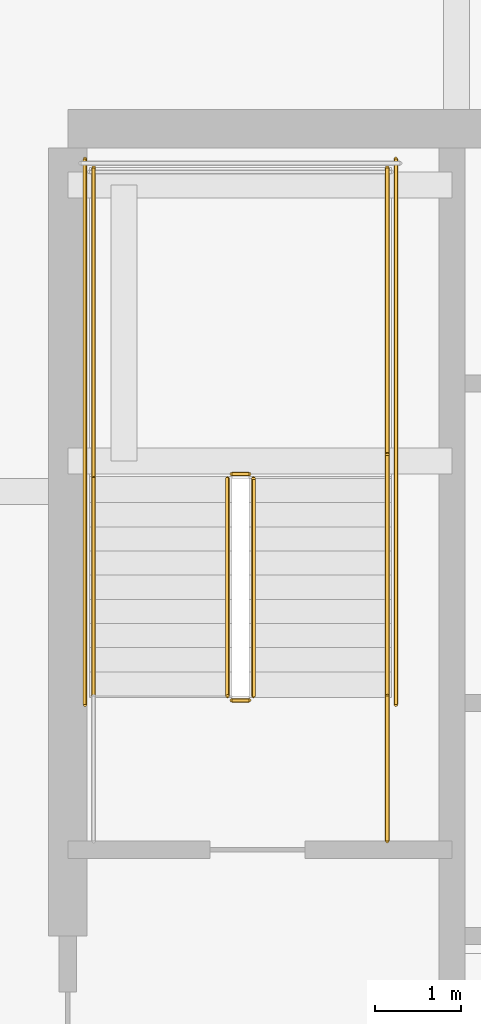
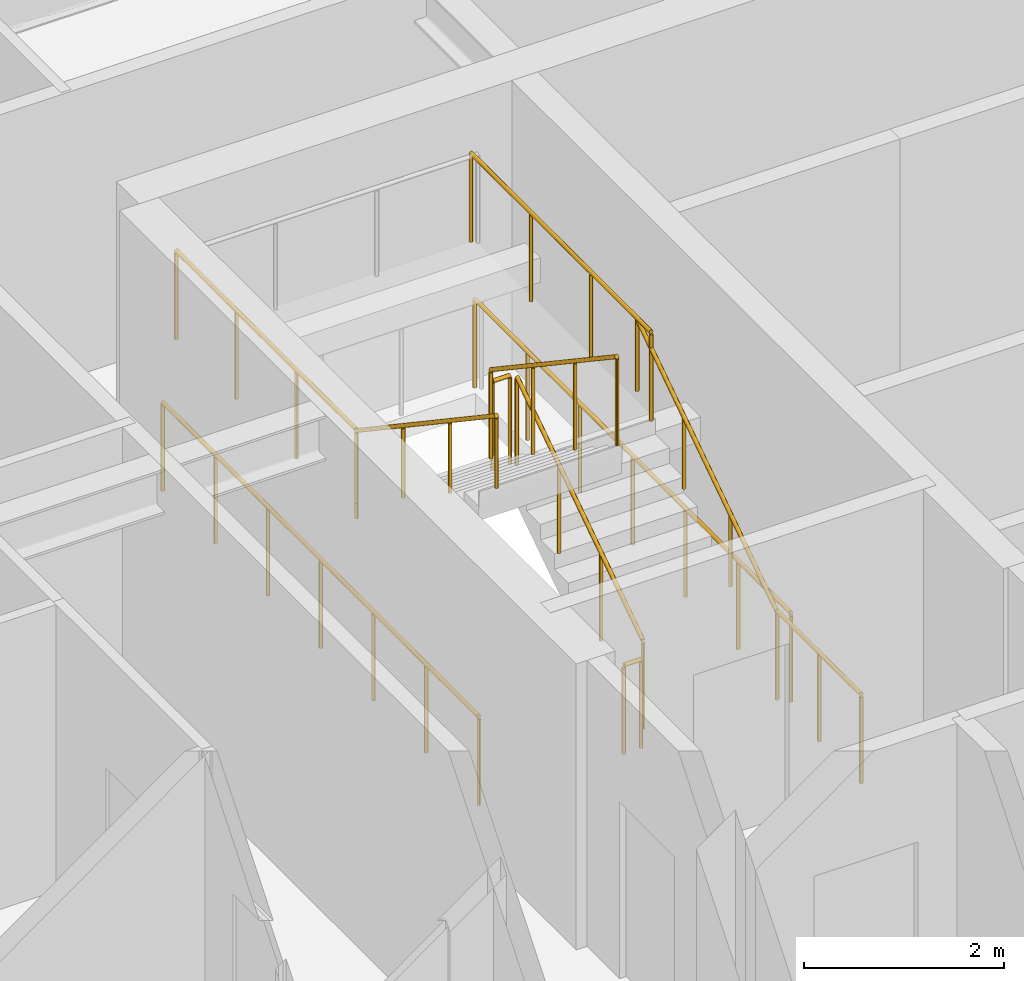
# One storey, part 35 of 38: 11 railings.
"""IFC4 building model written with IfcOpenShell, lengths in metres."""

from ifc_helpers import new_model, si_unit, direction, frame, origin, origin_2d, place, context, subcontext, project, spatial, circle, extrude, material, type_object, element, save


model = new_model("IFC4")

# Units and contexts
model_context = context("Model", 3, precision=1e-05, world=origin(), true_north=direction((0.0, 1.0)))
body_context = subcontext(model_context, "Body", "Model", "MODEL_VIEW")
ifc_project = project(units=[si_unit("LENGTHUNIT", "METRE"), si_unit("AREAUNIT", "SQUARE_METRE"), si_unit("VOLUMEUNIT", "CUBIC_METRE"), si_unit("PLANEANGLEUNIT", "RADIAN"), si_unit("MASSUNIT", "GRAM", prefix="KILO")], contexts=[model_context])

# Site, building, storey
site_placement = place(None, origin())
site = spatial("IfcSite", under=ifc_project, at=site_placement, CompositionType="ELEMENT")
building_placement = place(site_placement, origin())
building = spatial("IfcBuilding", under=site, at=building_placement, Name="Serunith Strait Residences", CompositionType="ELEMENT")
storey_placement = place(building_placement, frame((0.0, 0.0, 82.949951171875)))
storey = spatial("IfcBuildingStorey", under=building, at=storey_placement, Name="L20", CompositionType="ELEMENT", Elevation=82.949951171875)

# Railings
ifc_material = material(Name="Brushed stainless steel 316L", Category="steel")
railing_type_1 = type_object("IfcRailingType", Name="RLG-STAIR-GUARD", PredefinedType="BALUSTRADE", material=ifc_material)
railing_1_placement = place(storey_placement, frame((25.550048828125, 27.030029296875, 0.1875)))
element("IfcRailing", 1, at=railing_1_placement, inside=storey, type_object=railing_type_1, Name="L20 ST-1 stair guard 1", PredefinedType="BALUSTRADE", context=body_context, shape_type="SweptSolid", body=[
    extrude(circle(Radius=0.02392578125, at=origin_2d()), frame((0.0, 0.001708984375, 1.0771484375), z_axis=(0.0, 0.830909170722, 0.55640807867), x_axis=(-1.0, 0.0, 0.0)), (0.0, 0.0, 1.0), 3.02880859375),
    extrude(circle(Radius=0.02099609375, at=origin_2d()), origin(), (0.0, 0.0, 1.0), 1.050048828125),
    extrude(circle(Radius=0.02099609375, at=origin_2d()), frame((0.0, 0.840087890625, 0.5625)), (0.0, 0.0, 1.0), 1.050048828125),
    extrude(circle(Radius=0.02099609375, at=origin_2d()), frame((0.0, 1.679931640625, 1.125)), (0.0, 0.0, 1.0), 1.050048828125),
    extrude(circle(Radius=0.02099609375, at=origin_2d()), frame((0.0, 2.52001953125, 1.6875)), (0.0, 0.0, 1.0), 1.050048828125),
])
railing_2_placement = place(storey_placement, frame((25.5, 29.60009765625, 1.875)))
element("IfcRailing", 2, at=railing_2_placement, inside=storey, type_object=railing_type_1, Name="L20 ST-1 stair guard 2", PredefinedType="BALUSTRADE", context=body_context, shape_type="SweptSolid", body=[
    extrude(circle(Radius=0.02392578125, at=origin_2d()), frame((-0.001953125, 0.0, 1.076171875), z_axis=(-1.0, 0.0, 0.0), x_axis=(0.0, -1.0, 0.0)), (0.0, 0.0, 1.0), 0.196044921875),
    extrude(circle(Radius=0.02099609375, at=origin_2d()), origin(), (0.0, 0.0, 1.0), 1.050048828125),
    extrude(circle(Radius=0.02099609375, at=origin_2d()), frame((-0.199951171875, 0.0, 0.0)), (0.0, 0.0, 1.0), 1.050048828125),
])
for number, where, name in (
    (3, (27.10009765625, 29.550048828125, 1.875), "L20 ST-1 stair guard 3"),
    (4, (23.699951171875, 29.550048828125, 1.875), "L20 ST-1 stair guard 4"),
):
    element("IfcRailing", number, at=place(storey_placement, frame(where)), inside=storey, type_object=railing_type_1, Name=name, PredefinedType="BALUSTRADE", context=body_context, shape_type="SweptSolid", body=[
        extrude(circle(Radius=0.02392578125, at=origin_2d()), frame((0.0, 0.001953125, 1.076171875), z_axis=(0.0, 1.0, 0.0), x_axis=(-1.0, 0.0, 0.0)), (0.0, 0.0, 1.0), 3.595947265625),
        extrude(circle(Radius=0.02099609375, at=origin_2d()), origin(), (0.0, 0.0, 1.0), 1.050048828125),
        extrude(circle(Radius=0.02099609375, at=origin_2d()), frame((0.0, 1.199951171875, 0.0)), (0.0, 0.0, 1.0), 1.050048828125),
        extrude(circle(Radius=0.02099609375, at=origin_2d()), frame((0.0, 2.39990234375, 0.0)), (0.0, 0.0, 1.0), 1.050048828125),
        extrude(circle(Radius=0.02099609375, at=origin_2d()), frame((0.0, 3.599853515625, 0.0)), (0.0, 0.0, 1.0), 1.050048828125),
    ])
railing_3_placement = place(storey_placement, frame((25.25, 29.550048828125, 2.0625)))
element("IfcRailing", 5, at=railing_3_placement, inside=storey, type_object=railing_type_1, Name="L20 ST-1 stair guard 6", PredefinedType="BALUSTRADE", context=body_context, shape_type="SweptSolid", body=[
    extrude(circle(Radius=0.02392578125, at=origin_2d()), frame((0.0, -0.001708984375, 1.0771484375), z_axis=(0.0, -0.830909170722, 0.55640807867), x_axis=(1.0, 0.0, 0.0)), (0.0, 0.0, 1.0), 3.02880859375),
    extrude(circle(Radius=0.02099609375, at=origin_2d()), origin(), (0.0, 0.0, 1.0), 1.050048828125),
    extrude(circle(Radius=0.02099609375, at=origin_2d()), frame((0.0, -0.840087890625, 0.5625)), (0.0, 0.0, 1.0), 1.050048828125),
    extrude(circle(Radius=0.02099609375, at=origin_2d()), frame((0.0, -1.679931640625, 1.125)), (0.0, 0.0, 1.0), 1.050048828125),
    extrude(circle(Radius=0.02099609375, at=origin_2d()), frame((0.0, -2.52001953125, 1.6875)), (0.0, 0.0, 1.0), 1.050048828125),
])
railing_4_placement = place(storey_placement, frame((25.5, 26.97998046875, 0.0)))
element("IfcRailing", 6, at=railing_4_placement, inside=storey, type_object=railing_type_1, Name="L20 ST-1 stair guard 7", PredefinedType="BALUSTRADE", context=body_context, shape_type="SweptSolid", body=[
    extrude(circle(Radius=0.02392578125, at=origin_2d()), frame((-0.001953125, 0.0, 1.076171875), z_axis=(-1.0, 0.0, 0.0), x_axis=(0.0, -1.0, 0.0)), (0.0, 0.0, 1.0), 0.196044921875),
    extrude(circle(Radius=0.02099609375, at=origin_2d()), origin(), (0.0, 0.0, 1.0), 1.050048828125),
    extrude(circle(Radius=0.02099609375, at=origin_2d()), frame((-0.199951171875, 0.0, 0.0)), (0.0, 0.0, 1.0), 1.050048828125),
])
railing_5_placement = place(storey_placement, frame((27.10009765625, 25.35009765625, 0.0)))
element("IfcRailing", 7, at=railing_5_placement, inside=storey, type_object=railing_type_1, Name="L20 ST-1 stair guard 8", PredefinedType="BALUSTRADE", context=body_context, shape_type="SweptSolid", body=[
    extrude(circle(Radius=0.02392578125, at=origin_2d()), frame((0.0, 0.001953125, 1.076171875), z_axis=(0.0, 1.0, 0.0), x_axis=(-1.0, 0.0, 0.0)), (0.0, 0.0, 1.0), 1.676025390625),
    extrude(circle(Radius=0.02099609375, at=origin_2d()), origin(), (0.0, 0.0, 1.0), 1.050048828125),
    extrude(circle(Radius=0.02099609375, at=origin_2d()), frame((0.0, 0.83984375, 0.0)), (0.0, 0.0, 1.0), 1.050048828125),
    extrude(circle(Radius=0.02099609375, at=origin_2d()), frame((0.0, 1.679931640625, 0.0)), (0.0, 0.0, 1.0), 1.050048828125),
])
for number, where, name in (
    (8, (27.199951171875, 26.929931640625, 0.0), "L20 ST-1 stair guard 10"),
    (9, (23.60009765625, 26.929931640625, 0.0), "L20 ST-1 stair guard 11"),
):
    element("IfcRailing", number, at=place(storey_placement, frame(where)), inside=storey, type_object=railing_type_1, Name=name, PredefinedType="BALUSTRADE", context=body_context, shape_type="SweptSolid", body=[
        extrude(circle(Radius=0.02392578125, at=origin_2d()), frame((0.0, 0.001953125, 1.076171875), z_axis=(0.0, 1.0, 0.0), x_axis=(-1.0, 0.0, 0.0)), (0.0, 0.0, 1.0), 6.316162109375),
        extrude(circle(Radius=0.02099609375, at=origin_2d()), origin(), (0.0, 0.0, 1.0), 1.050048828125),
        extrude(circle(Radius=0.02099609375, at=origin_2d()), frame((0.0, 1.05322265625, 0.0)), (0.0, 0.0, 1.0), 1.050048828125),
        extrude(circle(Radius=0.02099609375, at=origin_2d()), frame((0.0, 2.106689453125, 0.0)), (0.0, 0.0, 1.0), 1.050048828125),
        extrude(circle(Radius=0.02099609375, at=origin_2d()), frame((0.0, 3.16015625, 0.0)), (0.0, 0.0, 1.0), 1.050048828125),
        extrude(circle(Radius=0.02099609375, at=origin_2d()), frame((0.0, 4.21337890625, 0.0)), (0.0, 0.0, 1.0), 1.050048828125),
        extrude(circle(Radius=0.02099609375, at=origin_2d()), frame((0.0, 5.2666015625, 0.0)), (0.0, 0.0, 1.0), 1.050048828125),
        extrude(circle(Radius=0.02099609375, at=origin_2d()), frame((0.0, 6.320068359375, 0.0)), (0.0, 0.0, 1.0), 1.050048828125),
    ])
railing_type_2 = type_object("IfcRailingType", Name="RLG-STAIR-HR", PredefinedType="HANDRAIL", material=ifc_material)
railing_6_placement = place(storey_placement, frame((27.10009765625, 27.030029296875, 0.1875)))
element("IfcRailing", 10, at=railing_6_placement, inside=storey, type_object=railing_type_2, Name="L20 ST-1 stair handrail 1", PredefinedType="HANDRAIL", context=body_context, shape_type="SweptSolid", body=[
    extrude(circle(Radius=0.02392578125, at=origin_2d()), frame((0.0, 0.001708984375, 0.876953125), z_axis=(0.0, 0.830208209119, 0.557453432594), x_axis=(-1.0, 0.0, 0.0)), (0.0, 0.0, 1.0), 3.36865234375),
    extrude(circle(Radius=0.02099609375, at=origin_2d()), origin(), (0.0, 0.0, 1.0), 0.849853515625),
    extrude(circle(Radius=0.02099609375, at=origin_2d()), frame((0.0, 0.933349609375, 0.626708984375)), (0.0, 0.0, 1.0), 0.849853515625),
    extrude(circle(Radius=0.02099609375, at=origin_2d()), frame((0.0, 1.86669921875, 1.25341796875)), (0.0, 0.0, 1.0), 0.849853515625),
    extrude(circle(Radius=0.02099609375, at=origin_2d()), frame((0.0, 2.800048828125, 1.880126953125)), (0.0, 0.0, 1.0), 0.849853515625),
])
railing_7_placement = place(storey_placement, frame((23.699951171875, 29.550048828125, 2.0625)))
element("IfcRailing", 11, at=railing_7_placement, inside=storey, type_object=railing_type_2, Name="L20 ST-1 stair handrail 2", PredefinedType="HANDRAIL", context=body_context, shape_type="SweptSolid", body=[
    extrude(circle(Radius=0.02392578125, at=origin_2d()), frame((0.0, -0.001708984375, 0.876953125), z_axis=(0.0, -0.830208209119, 0.557453432594), x_axis=(1.0, 0.0, 0.0)), (0.0, 0.0, 1.0), 3.36865234375),
    extrude(circle(Radius=0.02099609375, at=origin_2d()), origin(), (0.0, 0.0, 1.0), 0.849853515625),
    extrude(circle(Radius=0.02099609375, at=origin_2d()), frame((0.0, -0.933349609375, 0.626708984375)), (0.0, 0.0, 1.0), 0.849853515625),
    extrude(circle(Radius=0.02099609375, at=origin_2d()), frame((0.0, -1.86669921875, 1.25341796875)), (0.0, 0.0, 1.0), 0.849853515625),
    extrude(circle(Radius=0.02099609375, at=origin_2d()), frame((0.0, -2.800048828125, 1.880126953125)), (0.0, 0.0, 1.0), 0.849853515625),
])

save(model, "model.ifc")
